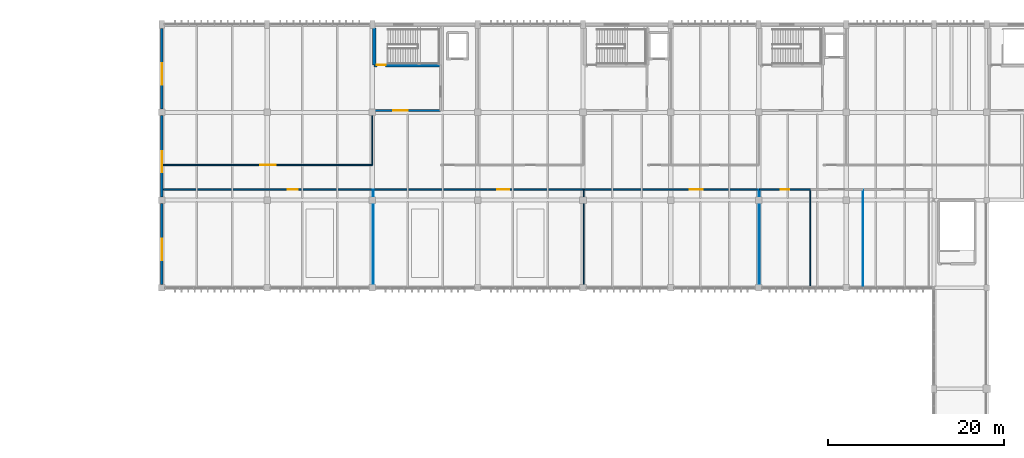
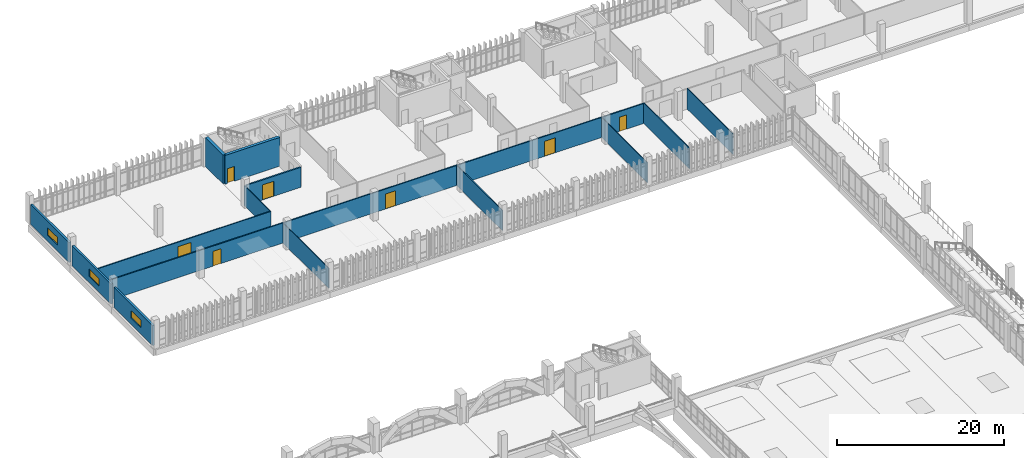
# One storey, part 147 of 161: 17 walls, 7 doors, 3 windows, 10 openings.
"""IFC4 building model written with IfcOpenShell, lengths in metres."""

from ifc_helpers import new_model, si_unit, direction, frame, frame_2d, origin, place, context, subcontext, project, spatial, rectangle, extrude, material, layer, layer_set, type_object, element, fill, save


model = new_model("IFC4")

# Units and contexts
model_context = context("Model", 3, precision=1e-05, world=origin(), true_north=direction((0.0, 1.0)))
body_context = subcontext(model_context, "Body", "Model", "MODEL_VIEW")
ifc_project = project(units=[si_unit("LENGTHUNIT", "METRE"), si_unit("AREAUNIT", "SQUARE_METRE"), si_unit("VOLUMEUNIT", "CUBIC_METRE"), si_unit("PLANEANGLEUNIT", "RADIAN"), si_unit("MASSUNIT", "GRAM", prefix="KILO")], contexts=[model_context])

# Site, building, storey
site_placement = place(None, origin())
site = spatial("IfcSite", under=ifc_project, at=site_placement, CompositionType="ELEMENT")
building_placement = place(site_placement, origin())
building = spatial("IfcBuilding", under=site, at=building_placement, Name="Mersad Railyard Sports Hall", CompositionType="ELEMENT")
storey_placement = place(building_placement, frame((0.0, 0.0, 4.800048828125)))
storey = spatial("IfcBuildingStorey", under=building, at=storey_placement, Name="L01", CompositionType="ELEMENT", Elevation=4.800048828125)

# Wall, opening, window
ifc_material_1 = material(Name="Precast concrete C45/55", Category="concrete")
ifc_layer_1 = layer(ifc_material_1, 0.280029296875)
ifc_layer_set_1 = layer_set([ifc_layer_1], Name="Precast concrete C45/55")
wall_type_1 = type_object("IfcWallType", Name="ARC-WL-EW03", PredefinedType="SOLIDWALL", material=ifc_layer_set_1)
wall_1_placement = place(storey_placement, frame((43.0, 85.375, 0.0), z_axis=(0.0, 0.0, 1.0), x_axis=(0.0, 1.0, 0.0)))
wall_1 = element("IfcWall", 1, at=wall_1_placement, inside=storey, type_object=wall_type_1, Name="External wall EW03-0115", PredefinedType="SOLIDWALL", context=body_context, shape_type="SweptSolid", body=[
    extrude(rectangle(XDim=9.25, YDim=0.280029296875, at=frame_2d((4.625, 0.0))), origin(), (0.0, 0.0, 1.0), 2.925048828125),
])
opening_1_placement = place(wall_1_placement, frame((2.800048828125, 0.0, 0.89990234375)))
opening_1 = element("IfcOpeningElement", 2, at=opening_1_placement, cuts=wall_1, Name="Opening W23", PredefinedType="OPENING", context=body_context, shape_type="SweptSolid", body=[
    extrude(rectangle(XDim=2.39990234375, YDim=1.10009765625, at=frame_2d((1.199951171875, 0.550048828125))), frame((0.0, 0.14990234375, 0.0), z_axis=(0.0, -1.0, 0.0), x_axis=(1.0, 0.0, 0.0)), (0.0, 0.0, 1.0), 0.300048828125),
])
ifc_material_2 = material(Name="Solar-control glass", Category="glass")
window_type = type_object("IfcWindowType", Name="ARC-WN-W23", PartitioningType="DOUBLE_PANEL_VERTICAL", PredefinedType="WINDOW", material=ifc_material_2)
window_1_placement = place(opening_1_placement, origin())
window_1 = element("IfcWindow", 3, at=window_1_placement, inside=storey, type_object=window_type, Name="Window W23-0032", OverallHeight=1.10009765625, OverallWidth=2.39990234375, PartitioningType="DOUBLE_PANEL_VERTICAL", PredefinedType="WINDOW", context=body_context, shape_type="SweptSolid", body=[
    extrude(rectangle(XDim=2.39990234375, YDim=1.10009765625, at=frame_2d((1.199951171875, 0.550048828125))), frame((0.0, 0.030029296875, 0.0), z_axis=(0.0, -1.0, 0.0), x_axis=(1.0, 0.0, 0.0)), (0.0, 0.0, 1.0), 0.06005859375),
])
fill(opening_1, window_1)

wall_2_placement = place(storey_placement, frame((43.0, 95.375, 0.0), z_axis=(0.0, 0.0, 1.0), x_axis=(0.0, 1.0, 0.0)))
wall_2 = element("IfcWall", 4, at=wall_2_placement, inside=storey, type_object=wall_type_1, Name="External wall EW03-0116", PredefinedType="SOLIDWALL", context=body_context, shape_type="SweptSolid", body=[
    extrude(rectangle(XDim=9.25, YDim=0.280029296875, at=frame_2d((4.625, 0.0))), origin(), (0.0, 0.0, 1.0), 2.925048828125),
])
opening_2_placement = place(wall_2_placement, frame((2.800048828125, 0.0, 0.89990234375)))
opening_2 = element("IfcOpeningElement", 5, at=opening_2_placement, cuts=wall_2, Name="Opening W23", PredefinedType="OPENING", context=body_context, shape_type="SweptSolid", body=[
    extrude(rectangle(XDim=2.39990234375, YDim=1.10009765625, at=frame_2d((1.199951171875, 0.550048828125))), frame((0.0, 0.14990234375, 0.0), z_axis=(0.0, -1.0, 0.0), x_axis=(1.0, 0.0, 0.0)), (0.0, 0.0, 1.0), 0.300048828125),
])
window_2_placement = place(opening_2_placement, origin())
window_2 = element("IfcWindow", 6, at=window_2_placement, inside=storey, type_object=window_type, Name="Window W23-0033", OverallHeight=1.10009765625, OverallWidth=2.39990234375, PartitioningType="DOUBLE_PANEL_VERTICAL", PredefinedType="WINDOW", context=body_context, shape_type="SweptSolid", body=[
    extrude(rectangle(XDim=2.39990234375, YDim=1.10009765625, at=frame_2d((1.199951171875, 0.550048828125))), frame((0.0, 0.030029296875, 0.0), z_axis=(0.0, -1.0, 0.0), x_axis=(1.0, 0.0, 0.0)), (0.0, 0.0, 1.0), 0.06005859375),
])
fill(opening_2, window_2)

wall_3_placement = place(storey_placement, frame((43.0, 105.375, 0.0), z_axis=(0.0, 0.0, 1.0), x_axis=(0.0, 1.0, 0.0)))
wall_3 = element("IfcWall", 7, at=wall_3_placement, inside=storey, type_object=wall_type_1, Name="External wall EW03-0117", PredefinedType="SOLIDWALL", context=body_context, shape_type="SweptSolid", body=[
    extrude(rectangle(XDim=9.175048828125, YDim=0.280029296875, at=frame_2d((4.58740234375, 0.0))), origin(), (0.0, 0.0, 1.0), 2.925048828125),
])
opening_3_placement = place(wall_3_placement, frame((2.800048828125, 0.0, 0.89990234375)))
opening_3 = element("IfcOpeningElement", 8, at=opening_3_placement, cuts=wall_3, Name="Opening W23", PredefinedType="OPENING", context=body_context, shape_type="SweptSolid", body=[
    extrude(rectangle(XDim=2.39990234375, YDim=1.10009765625, at=frame_2d((1.199951171875, 0.550048828125))), frame((0.0, 0.14990234375, 0.0), z_axis=(0.0, -1.0, 0.0), x_axis=(1.0, 0.0, 0.0)), (0.0, 0.0, 1.0), 0.300048828125),
])
window_3_placement = place(opening_3_placement, origin())
window_3 = element("IfcWindow", 9, at=window_3_placement, inside=storey, type_object=window_type, Name="Window W23-0034", OverallHeight=1.10009765625, OverallWidth=2.39990234375, PartitioningType="DOUBLE_PANEL_VERTICAL", PredefinedType="WINDOW", context=body_context, shape_type="SweptSolid", body=[
    extrude(rectangle(XDim=2.39990234375, YDim=1.10009765625, at=frame_2d((1.199951171875, 0.550048828125))), frame((0.0, 0.030029296875, 0.0), z_axis=(0.0, -1.0, 0.0), x_axis=(1.0, 0.0, 0.0)), (0.0, 0.0, 1.0), 0.06005859375),
])
fill(opening_3, window_3)

# Wall, opening, door
ifc_layer_2 = layer(ifc_material_1, 0.199951171875)
ifc_layer_set_2 = layer_set([ifc_layer_2], Name="Precast concrete C45/55")
wall_type_2 = type_object("IfcWallType", Name="ARC-WL-PT01", PredefinedType="PARTITIONING", material=ifc_layer_set_2)
wall_4_placement = place(storey_placement, frame((67.199951171875, 105.199951171875, 0.0), z_axis=(0.0, 0.0, 1.0), x_axis=(1.0, 0.0, 0.0)))
wall_4 = element("IfcWall", 10, at=wall_4_placement, inside=storey, type_object=wall_type_2, Name="Interior wall PT01-0166", PredefinedType="PARTITIONING", context=body_context, shape_type="SweptSolid", body=[
    extrude(rectangle(XDim=7.550048828125, YDim=0.199951171875, at=frame_2d((3.77490234375, 0.0))), origin(), (0.0, 0.0, 1.0), 2.925048828125),
])
opening_4_placement = place(wall_4_placement, frame((2.199951171875, 0.0, 0.0)))
opening_4 = element("IfcOpeningElement", 11, at=opening_4_placement, cuts=wall_4, Name="Opening FD04", PredefinedType="OPENING", context=body_context, shape_type="SweptSolid", body=[
    extrude(rectangle(XDim=1.60009765625, YDim=2.199951171875, at=frame_2d((0.800048828125, 1.10009765625))), frame((0.0, 0.10986328125, 0.0), z_axis=(0.0, -1.0, 0.0), x_axis=(1.0, 0.0, 0.0)), (0.0, 0.0, 1.0), 0.219970703125),
])
ifc_material_3 = material(Name="Steel S355", Category="steel")
door_type_1 = type_object("IfcDoorType", Name="ARC-DR-FD04", OperationType="NOTDEFINED", PredefinedType="DOOR", material=ifc_material_3)
door_1_placement = place(opening_4_placement, origin())
door_1 = element("IfcDoor", 12, at=door_1_placement, inside=storey, type_object=door_type_1, Name="C1 firefighting lobby door FD04-0050", OperationType="DOUBLE_DOOR_SINGLE_SWING", OverallHeight=2.199951171875, OverallWidth=1.60009765625, PredefinedType="DOOR", context=body_context, shape_type="SweptSolid", body=[
    extrude(rectangle(XDim=1.60009765625, YDim=2.199951171875, at=frame_2d((0.800048828125, 1.10009765625))), frame((0.0, 0.02490234375, 0.0), z_axis=(0.0, -1.0, 0.0), x_axis=(1.0, 0.0, 0.0)), (0.0, 0.0, 1.0), 0.050048828125),
])
fill(opening_4, door_1)

ifc_material_4 = material(Name="Gypsum plasterboard", Category="gypsum")
ifc_layer_3 = layer(ifc_material_4, 0.159912109375)
ifc_layer_set_3 = layer_set([ifc_layer_3], Name="Gypsum plasterboard")
wall_type_3 = type_object("IfcWallType", Name="ARC-WL-PT02", PredefinedType="PARTITIONING", material=ifc_layer_set_3)
wall_5_placement = place(storey_placement, frame((43.179931640625, 96.199951171875, 0.0), z_axis=(0.0, 0.0, 1.0), x_axis=(1.0, 0.0, 0.0)))
wall_5 = element("IfcWall", 13, at=wall_5_placement, inside=storey, type_object=wall_type_3, Name="Interior wall PT02-0431", PredefinedType="PARTITIONING", context=body_context, shape_type="SweptSolid", body=[
    extrude(rectangle(XDim=23.920166015625, YDim=0.159912109375, at=frame_2d((11.9599609375, 0.0))), origin(), (0.0, 0.0, 1.0), 2.925048828125),
])
opening_5_placement = place(wall_5_placement, frame((14.18505859375, 0.0, 0.0)))
opening_5 = element("IfcOpeningElement", 14, at=opening_5_placement, cuts=wall_5, Name="Opening FD08", PredefinedType="OPENING", context=body_context, shape_type="SweptSolid", body=[
    extrude(rectangle(XDim=1.14990234375, YDim=2.14990234375, at=frame_2d((0.574951171875, 1.074951171875))), frame((0.0, 0.08984375, 0.0), z_axis=(0.0, -1.0, 0.0), x_axis=(1.0, 0.0, 0.0)), (0.0, 0.0, 1.0), 0.179931640625),
])
door_type_2 = type_object("IfcDoorType", Name="ARC-DR-FD08", OperationType="NOTDEFINED", PredefinedType="DOOR", material=ifc_material_3)
door_2_placement = place(opening_5_placement, origin())
door_2 = element("IfcDoor", 15, at=door_2_placement, inside=storey, type_object=door_type_2, Name="L01 south room door FD08-0193", OperationType="SINGLE_SWING_LEFT", OverallHeight=2.14990234375, OverallWidth=1.14990234375, PredefinedType="DOOR", context=body_context, shape_type="SweptSolid", body=[
    extrude(rectangle(XDim=1.14990234375, YDim=2.14990234375, at=frame_2d((0.574951171875, 1.074951171875))), frame((0.0, 0.02490234375, 0.0), z_axis=(0.0, -1.0, 0.0), x_axis=(1.0, 0.0, 0.0)), (0.0, 0.0, 1.0), 0.050048828125),
])
fill(opening_5, door_2)

wall_6_placement = place(storey_placement, frame((67.10009765625, 96.199951171875, 0.0), z_axis=(0.0, 0.0, 1.0), x_axis=(1.0, 0.0, 0.0)))
wall_6 = element("IfcWall", 16, at=wall_6_placement, inside=storey, type_object=wall_type_3, Name="Interior wall PT02-0432", PredefinedType="PARTITIONING", context=body_context, shape_type="SweptSolid", body=[
    extrude(rectangle(XDim=24.0, YDim=0.159912109375, at=frame_2d((12.0, 0.0))), origin(), (0.0, 0.0, 1.0), 2.925048828125),
])
opening_6_placement = place(wall_6_placement, frame((14.10009765625, 0.0, 0.0)))
opening_6 = element("IfcOpeningElement", 17, at=opening_6_placement, cuts=wall_6, Name="Opening FD09", PredefinedType="OPENING", context=body_context, shape_type="SweptSolid", body=[
    extrude(rectangle(XDim=1.39990234375, YDim=2.199951171875, at=frame_2d((0.699951171875, 1.10009765625))), frame((0.0, 0.08984375, 0.0), z_axis=(0.0, -1.0, 0.0), x_axis=(1.0, 0.0, 0.0)), (0.0, 0.0, 1.0), 0.179931640625),
])
door_type_3 = type_object("IfcDoorType", Name="ARC-DR-FD09", OperationType="NOTDEFINED", PredefinedType="DOOR", material=ifc_material_3)
door_3_placement = place(opening_6_placement, origin())
door_3 = element("IfcDoor", 18, at=door_3_placement, inside=storey, type_object=door_type_3, Name="L01 south room door FD09-0194", OperationType="SINGLE_SWING_RIGHT", OverallHeight=2.199951171875, OverallWidth=1.39990234375, PredefinedType="DOOR", context=body_context, shape_type="SweptSolid", body=[
    extrude(rectangle(XDim=1.39990234375, YDim=2.199951171875, at=frame_2d((0.699951171875, 1.10009765625))), frame((0.0, 0.02490234375, 0.0), z_axis=(0.0, -1.0, 0.0), x_axis=(1.0, 0.0, 0.0)), (0.0, 0.0, 1.0), 0.050048828125),
])
fill(opening_6, door_3)

wall_7_placement = place(storey_placement, frame((91.10009765625, 96.199951171875, 0.0), z_axis=(0.0, 0.0, 1.0), x_axis=(1.0, 0.0, 0.0)))
wall_7 = element("IfcWall", 19, at=wall_7_placement, inside=storey, type_object=wall_type_3, Name="Interior wall PT02-0434", PredefinedType="PARTITIONING", context=body_context, shape_type="SweptSolid", body=[
    extrude(rectangle(XDim=20.0, YDim=0.159912109375, at=frame_2d((10.0, 0.0))), origin(), (0.0, 0.0, 1.0), 2.925048828125),
])
opening_7_placement = place(wall_7_placement, frame((12.050048828125, 0.0, 0.0)))
opening_7 = element("IfcOpeningElement", 20, at=opening_7_placement, cuts=wall_7, Name="Opening FD10", PredefinedType="OPENING", context=body_context, shape_type="SweptSolid", body=[
    extrude(rectangle(XDim=1.5, YDim=2.199951171875, at=frame_2d((0.75, 1.10009765625))), frame((0.0, 0.08984375, 0.0), z_axis=(0.0, -1.0, 0.0), x_axis=(1.0, 0.0, 0.0)), (0.0, 0.0, 1.0), 0.179931640625),
])
door_type_4 = type_object("IfcDoorType", Name="ARC-DR-FD10", OperationType="NOTDEFINED", PredefinedType="DOOR", material=ifc_material_3)
door_4_placement = place(opening_7_placement, origin())
door_4 = element("IfcDoor", 21, at=door_4_placement, inside=storey, type_object=door_type_4, Name="L01 south room door FD10-0195", OperationType="DOUBLE_DOOR_SINGLE_SWING", OverallHeight=2.199951171875, OverallWidth=1.5, PredefinedType="DOOR", context=body_context, shape_type="SweptSolid", body=[
    extrude(rectangle(XDim=1.5, YDim=2.199951171875, at=frame_2d((0.75, 1.10009765625))), frame((0.0, 0.02490234375, 0.0), z_axis=(0.0, -1.0, 0.0), x_axis=(1.0, 0.0, 0.0)), (0.0, 0.0, 1.0), 0.050048828125),
])
fill(opening_7, door_4)

wall_8_placement = place(storey_placement, frame((111.10009765625, 96.199951171875, 0.0), z_axis=(0.0, 0.0, 1.0), x_axis=(1.0, 0.0, 0.0)))
wall_8 = element("IfcWall", 22, at=wall_8_placement, inside=storey, type_object=wall_type_3, Name="Interior wall PT02-0436", PredefinedType="PARTITIONING", context=body_context, shape_type="SweptSolid", body=[
    extrude(rectangle(XDim=5.7998046875, YDim=0.159912109375, at=frame_2d((2.89990234375, 0.0))), origin(), (0.0, 0.0, 1.0), 2.925048828125),
])
opening_8_placement = place(wall_8_placement, frame((2.409912109375, 0.0, 0.0)))
opening_8 = element("IfcOpeningElement", 23, at=opening_8_placement, cuts=wall_8, Name="Opening FD06", PredefinedType="OPENING", context=body_context, shape_type="SweptSolid", body=[
    extrude(rectangle(XDim=0.97998046875, YDim=2.10009765625, at=frame_2d((0.489990234375, 1.050048828125))), frame((0.0, 0.08984375, 0.0), z_axis=(0.0, -1.0, 0.0), x_axis=(1.0, 0.0, 0.0)), (0.0, 0.0, 1.0), 0.179931640625),
])
door_type_5 = type_object("IfcDoorType", Name="ARC-DR-FD06", OperationType="NOTDEFINED", PredefinedType="DOOR", material=ifc_material_3)
door_5_placement = place(opening_8_placement, origin())
door_5 = element("IfcDoor", 24, at=door_5_placement, inside=storey, type_object=door_type_5, Name="L01 south room door FD06-0196", OperationType="SINGLE_SWING_LEFT", OverallHeight=2.10009765625, OverallWidth=0.97998046875, PredefinedType="DOOR", context=body_context, shape_type="SweptSolid", body=[
    extrude(rectangle(XDim=0.97998046875, YDim=2.10009765625, at=frame_2d((0.489990234375, 1.050048828125))), frame((0.0, 0.02490234375, 0.0), z_axis=(0.0, -1.0, 0.0), x_axis=(1.0, 0.0, 0.0)), (0.0, 0.0, 1.0), 0.050048828125),
])
fill(opening_8, door_5)

ifc_layer_4 = layer(ifc_material_4, 0.139892578125)
ifc_layer_set_4 = layer_set([ifc_layer_4], Name="Gypsum plasterboard")
wall_type_4 = type_object("IfcWallType", Name="ARC-WL-PT03", PredefinedType="PARTITIONING", material=ifc_layer_set_4)
wall_9_placement = place(storey_placement, frame((43.179931640625, 99.0, 0.0), z_axis=(0.0, 0.0, 1.0), x_axis=(1.0, 0.0, 0.0)))
wall_9 = element("IfcWall", 25, at=wall_9_placement, inside=storey, type_object=wall_type_4, Name="Interior wall PT03-0443", PredefinedType="PARTITIONING", context=body_context, shape_type="SweptSolid", body=[
    extrude(rectangle(XDim=23.820068359375, YDim=0.139892578125, at=frame_2d((11.91015625, 0.0))), origin(), (0.0, 0.0, 1.0), 2.925048828125),
])
opening_9_placement = place(wall_9_placement, frame((11.010009765625, 0.0, 0.0)))
opening_9 = element("IfcOpeningElement", 26, at=opening_9_placement, cuts=wall_9, Name="Opening FD05", PredefinedType="OPENING", context=body_context, shape_type="SweptSolid", body=[
    extrude(rectangle(XDim=1.800048828125, YDim=2.25, at=frame_2d((0.89990234375, 1.125))), frame((0.0, 0.079833984375, 0.0), z_axis=(0.0, -1.0, 0.0), x_axis=(1.0, 0.0, 0.0)), (0.0, 0.0, 1.0), 0.159912109375),
])
door_type_6 = type_object("IfcDoorType", Name="ARC-DR-FD05", OperationType="NOTDEFINED", PredefinedType="DOOR", material=ifc_material_3)
door_6_placement = place(opening_9_placement, origin())
door_6 = element("IfcDoor", 27, at=door_6_placement, inside=storey, type_object=door_type_6, Name="L01 north room door FD05-0199", OperationType="DOUBLE_DOOR_SINGLE_SWING", OverallHeight=2.25, OverallWidth=1.800048828125, PredefinedType="DOOR", context=body_context, shape_type="SweptSolid", body=[
    extrude(rectangle(XDim=1.800048828125, YDim=2.25, at=frame_2d((0.89990234375, 1.125))), frame((0.0, 0.02490234375, 0.0), z_axis=(0.0, -1.0, 0.0), x_axis=(1.0, 0.0, 0.0)), (0.0, 0.0, 1.0), 0.050048828125),
])
fill(opening_9, door_6)

# Walls
ifc_layer_5 = layer(ifc_material_4, 0.1201171875)
ifc_layer_set_5 = layer_set([ifc_layer_5], Name="Gypsum plasterboard")
wall_type_5 = type_object("IfcWallType", Name="ARC-WL-PT04", PredefinedType="PARTITIONING", material=ifc_layer_set_5)
wall_10_placement = place(storey_placement, frame((91.10009765625, 85.219970703125, 0.0), z_axis=(0.0, 0.0, 1.0), x_axis=(0.0, 1.0, 0.0)))
element("IfcWall", 28, at=wall_10_placement, inside=storey, type_object=wall_type_5, Name="Interior wall PT04-0435", PredefinedType="PARTITIONING", context=body_context, shape_type="SweptSolid", body=[
    extrude(rectangle(XDim=10.97998046875, YDim=0.1201171875, at=frame_2d((5.489990234375, 0.0))), origin(), (0.0, 0.0, 1.0), 2.925048828125),
])
wall_11_placement = place(storey_placement, frame((116.89990234375, 85.219970703125, 0.0), z_axis=(0.0, 0.0, 1.0), x_axis=(0.0, 1.0, 0.0)))
element("IfcWall", 29, at=wall_11_placement, inside=storey, type_object=wall_type_5, Name="Interior wall PT04-0439", PredefinedType="PARTITIONING", context=body_context, shape_type="SweptSolid", body=[
    extrude(rectangle(XDim=10.97998046875, YDim=0.1201171875, at=frame_2d((5.489990234375, 0.0))), origin(), (0.0, 0.0, 1.0), 3.02490234375),
])
wall_12_placement = place(storey_placement, frame((67.0, 99.0, 0.0), z_axis=(0.0, 0.0, 1.0), x_axis=(0.0, 1.0, 0.0)))
element("IfcWall", 30, at=wall_12_placement, inside=storey, type_object=wall_type_5, Name="Interior wall PT04-0444", PredefinedType="PARTITIONING", context=body_context, shape_type="SweptSolid", body=[
    extrude(rectangle(XDim=6.199951171875, YDim=0.1201171875, at=frame_2d((3.10009765625, 0.0))), origin(), (0.0, 0.0, 1.0), 2.925048828125),
])
ifc_layer_6 = layer(ifc_material_4, 0.10009765625)
ifc_layer_set_6 = layer_set([ifc_layer_6], Name="Gypsum plasterboard")
wall_type_6 = type_object("IfcWallType", Name="ARC-WL-PT05", PredefinedType="PARTITIONING", material=ifc_layer_set_6)
for number, where, z_axis, x_axis, name in (
    (31, (67.10009765625, 85.219970703125, 0.0), (0.0, 0.0, 1.0), (0.0, 1.0, 0.0), "Interior wall PT05-0433"),
    (32, (111.10009765625, 85.219970703125, 0.0), (0.0, 0.0, 1.0), (0.0, 1.0, 0.0), "Interior wall PT05-0437"),
):
    element("IfcWall", number, at=place(storey_placement, frame(where, z_axis=z_axis, x_axis=x_axis)), inside=storey, type_object=wall_type_6, Name=name, PredefinedType="PARTITIONING", context=body_context, shape_type="SweptSolid", body=[
        extrude(rectangle(XDim=10.97998046875, YDim=0.10009765625, at=frame_2d((5.489990234375, 0.0))), origin(), (0.0, 0.0, 1.0), 2.925048828125),
    ])
wall_13_placement = place(storey_placement, frame((122.89990234375, 85.219970703125, 0.0), z_axis=(0.0, 0.0, 1.0), x_axis=(0.0, 1.0, 0.0)))
element("IfcWall", 33, at=wall_13_placement, inside=storey, type_object=wall_type_6, Name="Interior wall PT05-0441", PredefinedType="PARTITIONING", context=body_context, shape_type="SweptSolid", body=[
    extrude(rectangle(XDim=10.97998046875, YDim=0.10009765625, at=frame_2d((5.489990234375, 0.0))), origin(), (0.0, 0.0, 1.0), 3.02490234375),
])

# Wall, opening, door
ifc_material_5 = material(Name="Concrete C50/60", Category="concrete")
ifc_layer_7 = layer(ifc_material_5, 0.39990234375)
ifc_layer_set_7 = layer_set([ifc_layer_7], Name="Concrete C50/60")
wall_type_7 = type_object("IfcWallType", Name="STR-WL-SW01", PredefinedType="SHEAR", material=ifc_layer_set_7)
wall_14_placement = place(storey_placement, frame((67.199951171875, 110.3798828125, 0.0), z_axis=(0.0, 0.0, 1.0), x_axis=(1.0, 0.0, 0.0)))
wall_14 = element("IfcWall", 34, at=wall_14_placement, inside=storey, type_object=wall_type_7, Name="Interior wall SW01-0163", PredefinedType="SHEAR", context=body_context, shape_type="SweptSolid", body=[
    extrude(rectangle(XDim=7.550048828125, YDim=0.39990234375, at=frame_2d((3.77490234375, 0.0))), origin(), (0.0, 0.0, 1.0), 4.199951171875),
])
opening_10_placement = place(wall_14_placement, frame((0.300048828125, 0.0, 0.0)))
opening_10 = element("IfcOpeningElement", 35, at=opening_10_placement, cuts=wall_14, Name="Opening FD02", PredefinedType="OPENING", context=body_context, shape_type="SweptSolid", body=[
    extrude(rectangle(XDim=1.0, YDim=2.14990234375, at=frame_2d((0.5, 1.074951171875))), frame((0.0, 0.2099609375, 0.0), z_axis=(0.0, -1.0, 0.0), x_axis=(1.0, 0.0, 0.0)), (0.0, 0.0, 1.0), 0.419921875),
])
door_type_7 = type_object("IfcDoorType", Name="ARC-DR-FD02", OperationType="NOTDEFINED", PredefinedType="DOOR", material=ifc_material_3)
door_7_placement = place(opening_10_placement, origin())
door_7 = element("IfcDoor", 36, at=door_7_placement, inside=storey, type_object=door_type_7, Name="C1 stair entrance door FD02-0049", OperationType="SINGLE_SWING_LEFT", OverallHeight=2.14990234375, OverallWidth=1.0, PredefinedType="DOOR", context=body_context, shape_type="SweptSolid", body=[
    extrude(rectangle(XDim=1.0, YDim=2.14990234375, at=frame_2d((0.5, 1.074951171875))), frame((0.0, 0.02490234375, 0.0), z_axis=(0.0, -1.0, 0.0), x_axis=(1.0, 0.0, 0.0)), (0.0, 0.0, 1.0), 0.050048828125),
])
fill(opening_10, door_7)

# Wall
wall_15_placement = place(storey_placement, frame((67.199951171875, 114.6201171875, 0.0), z_axis=(0.0, 0.0, 1.0), x_axis=(0.0, -1.0, 0.0)))
element("IfcWall", 37, at=wall_15_placement, inside=storey, type_object=wall_type_7, Name="Interior wall SW01-0165", PredefinedType="SHEAR", context=body_context, shape_type="SweptSolid", body=[
    extrude(rectangle(XDim=4.240234375, YDim=0.39990234375, at=frame_2d((2.1201171875, 0.0))), origin(), (0.0, 0.0, 1.0), 4.199951171875),
])

save(model, "model.ifc")
